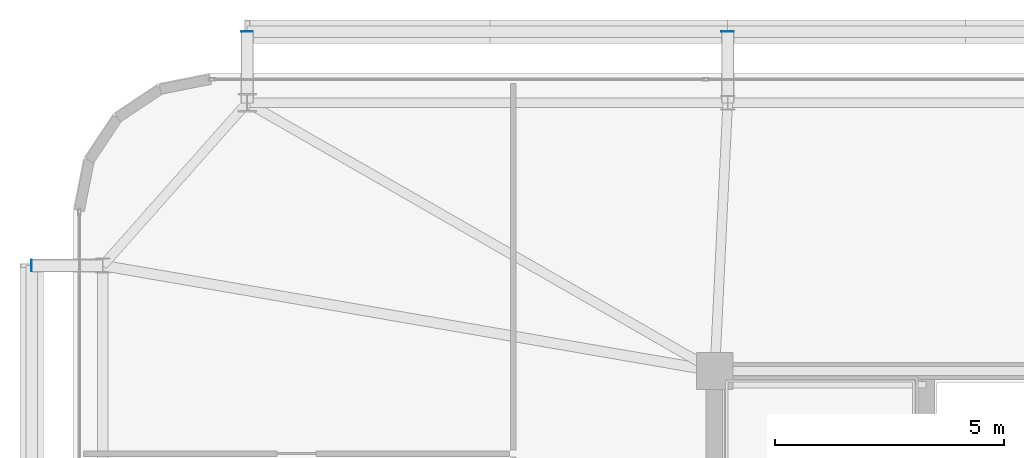
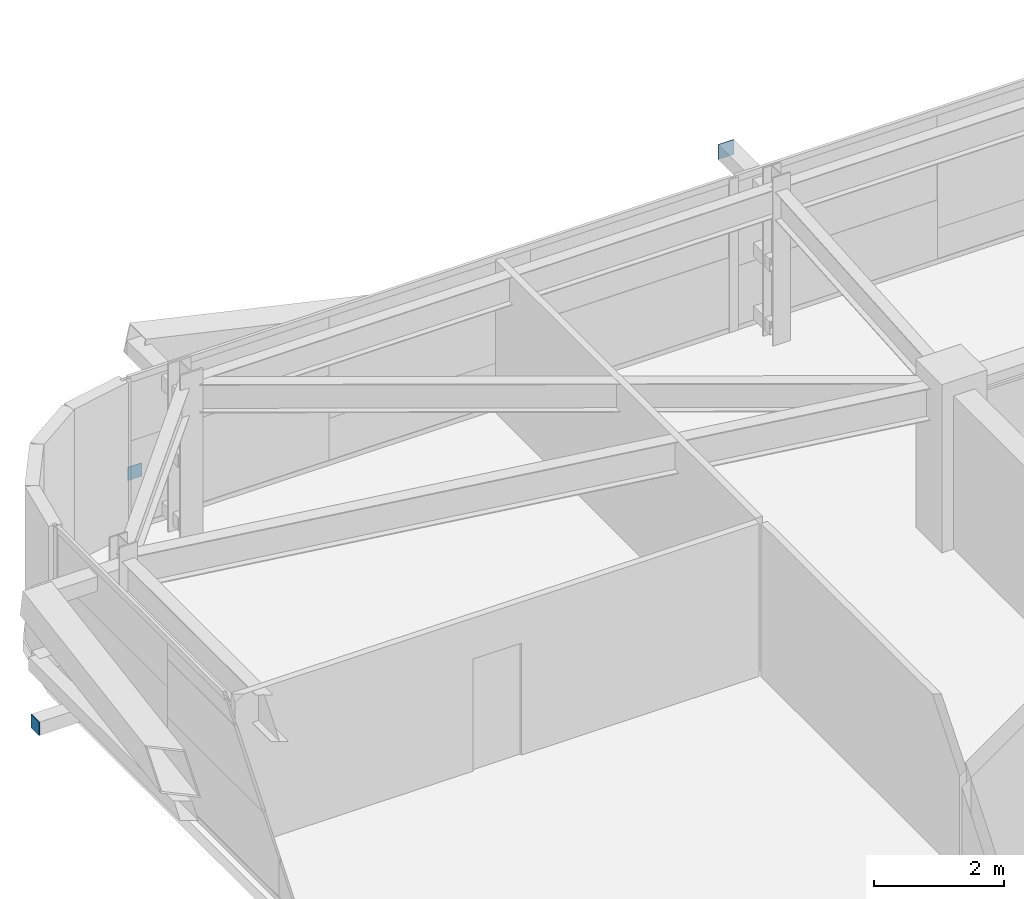
# One storey, part 36 of 45: 3 plates.
"""IFC4 building model written with IfcOpenShell, lengths in metres."""

from ifc_helpers import new_model, si_unit, direction, frame, origin, origin_2d, place, context, subcontext, project, spatial, rectangle, extrude, source, transform, mapped, material, layer, layer_set, type_object, element, save


model = new_model("IFC4")

# Units and contexts
model_context = context("Model", 3, precision=1e-05, world=origin(), true_north=direction((0.0, 1.0)))
body_context = subcontext(model_context, "Body", "Model", "MODEL_VIEW")
ifc_project = project(units=[si_unit("LENGTHUNIT", "METRE"), si_unit("AREAUNIT", "SQUARE_METRE"), si_unit("VOLUMEUNIT", "CUBIC_METRE"), si_unit("PLANEANGLEUNIT", "RADIAN"), si_unit("MASSUNIT", "GRAM", prefix="KILO")], contexts=[model_context])

# Site, building, storey
site_placement = place(None, origin())
site = spatial("IfcSite", under=ifc_project, at=site_placement, CompositionType="ELEMENT")
building_placement = place(site_placement, origin())
building = spatial("IfcBuilding", under=site, at=building_placement, Name="Taldren Reach Tower", CompositionType="ELEMENT")
storey_placement = place(building_placement, frame((0.0, 0.0, 57.75)))
storey = spatial("IfcBuildingStorey", under=building, at=storey_placement, Name="L17", CompositionType="ELEMENT", Elevation=57.75)

# Plates
ifc_material_1 = material(Name="Steel Gr 450 (C450L0)", Category="steel")
ifc_layer_1 = layer(ifc_material_1, 0.011962890625)
ifc_layer_set_1 = layer_set([ifc_layer_1], Name="Steel Gr 450 (C450L0)")
plate_type_1 = type_object("IfcPlateType", Name="PL-CAP-275", PredefinedType="SHEET", material=ifc_layer_set_1)
shared_shape_1 = source(origin(), body_context, "Body", "SweptSolid", [
    extrude(rectangle(XDim=0.27490234375, YDim=0.011962890625, at=origin_2d()), origin(), (0.0, 0.0, 1.0), 0.27490234375),
])
plate_1_placement = place(storey_placement, frame((19.280029296875, 39.406005859375, 2.45263671875), z_axis=(0.0, 0.0, 1.0), x_axis=(1.0, 0.0, 0.0)))
element("IfcPlate", 1, at=plate_1_placement, inside=storey, type_object=plate_type_1, Name="Tie strut end cap plate B1-N2 L17", PredefinedType="SHEET", context=body_context, shape_type="MappedRepresentation", body=[
    mapped(shared_shape_1, transform((0.0, 0.0, 0.0), scale=1.0)),
])
ifc_material_2 = material(Name="Steel Gr 350 (C350L0)", Category="steel")
ifc_layer_2 = layer(ifc_material_2, 0.011962890625)
ifc_layer_set_2 = layer_set([ifc_layer_2], Name="Steel Gr 350 (C350L0)")
plate_type_2 = type_object("IfcPlateType", Name="PL-CAP-250", PredefinedType="SHEET", material=ifc_layer_set_2)
shared_shape_2 = source(origin(), body_context, "Body", "SweptSolid", [
    extrude(rectangle(XDim=0.25, YDim=0.011962890625, at=origin_2d()), origin(), (0.0, 0.0, 1.0), 0.25),
])
plate_2_placement = place(storey_placement, frame((8.800048828125, 39.406005859375, 0.094970703125), z_axis=(0.0, 0.0, 1.0), x_axis=(1.0, 0.0, 0.0)))
element("IfcPlate", 2, at=plate_2_placement, inside=storey, type_object=plate_type_2, Name="Tie strut end cap plate B1-N1 L17", PredefinedType="SHEET", context=body_context, shape_type="MappedRepresentation", body=[
    mapped(shared_shape_2, transform((0.0, 0.0, 0.0), scale=1.0)),
])
shared_shape_3 = source(origin(), body_context, "Body", "SweptSolid", [
    extrude(rectangle(XDim=0.011962890625, YDim=0.25, at=origin_2d()), origin(), (0.0, 0.0, 1.0), 0.25),
])
plate_3_placement = place(storey_placement, frame((4.093994140625, 34.300048828125, 0.094970703125), z_axis=(0.0, 0.0, 1.0), x_axis=(1.0, 0.0, 0.0)))
element("IfcPlate", 3, at=plate_3_placement, inside=storey, type_object=plate_type_2, Name="Tie strut end cap plate B1-W3 L17", PredefinedType="SHEET", context=body_context, shape_type="MappedRepresentation", body=[
    mapped(shared_shape_3, transform((0.0, 0.0, 0.0), scale=1.0)),
])

save(model, "model.ifc")
